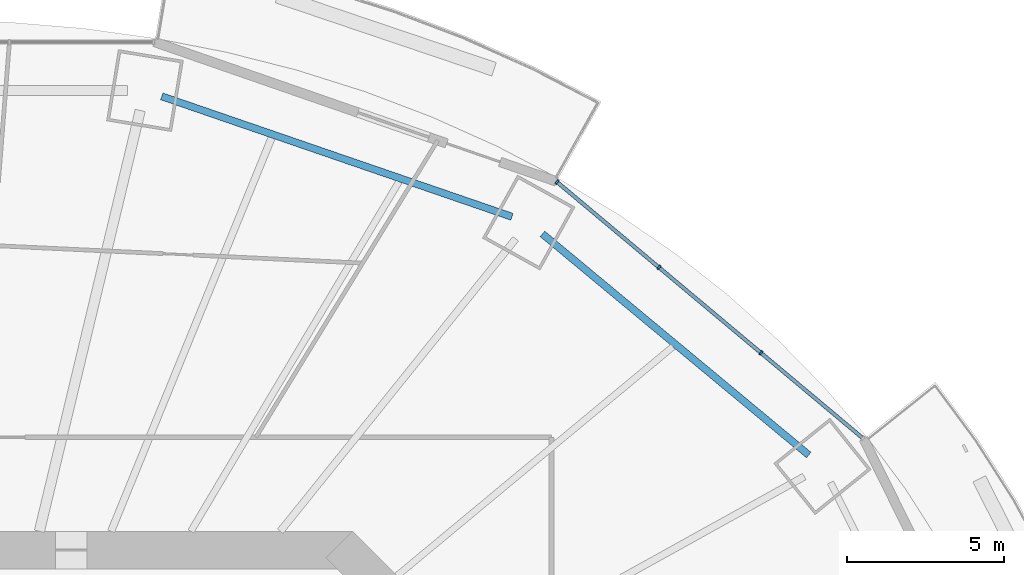
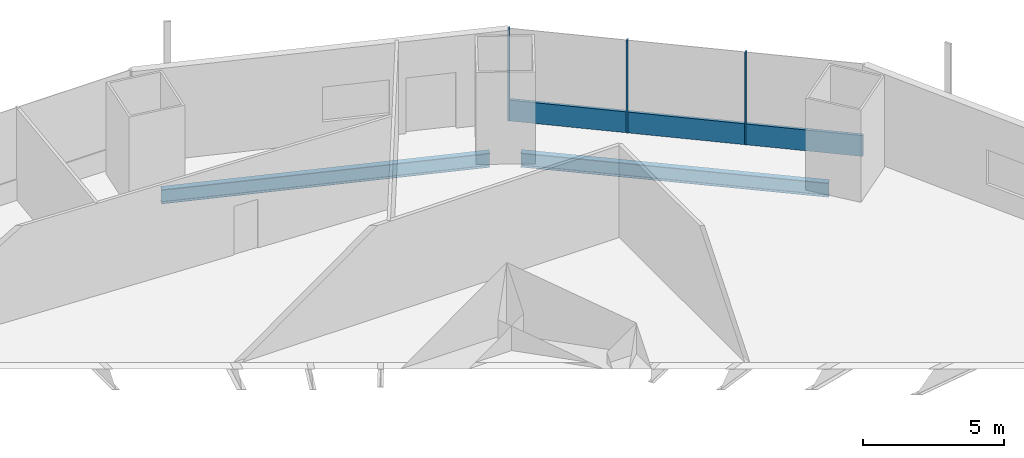
# One storey, part 10 of 22: 4 members, 2 beams, 1 element without a shape of its own.
"""IFC4 building model written with IfcOpenShell, lengths in metres."""

from ifc_helpers import new_model, si_unit, direction, frame, origin, origin_2d, place, context, subcontext, project, spatial, rectangle, i_section, extrude, material, material_profile, profile_set, type_object, element, aggregate, save


model = new_model("IFC4")

# Units and contexts
model_context = context("Model", 3, precision=1e-05, world=origin(), true_north=direction((0.0, 1.0)))
body_context = subcontext(model_context, "Body", "Model", "MODEL_VIEW")
ifc_project = project(units=[si_unit("LENGTHUNIT", "METRE"), si_unit("AREAUNIT", "SQUARE_METRE"), si_unit("VOLUMEUNIT", "CUBIC_METRE"), si_unit("PLANEANGLEUNIT", "RADIAN"), si_unit("MASSUNIT", "GRAM", prefix="KILO")], contexts=[model_context])

# Site, building, storey
site_placement = place(None, origin())
site = spatial("IfcSite", under=ifc_project, at=site_placement, CompositionType="ELEMENT")
building_placement = place(site_placement, origin())
building = spatial("IfcBuilding", under=site, at=building_placement, Name="Marenthal Gate Tower", CompositionType="ELEMENT")
storey_placement = place(building_placement, frame((0.0, 0.0, 74.5)))
storey = spatial("IfcBuildingStorey", under=building, at=storey_placement, Name="L14", CompositionType="ELEMENT", Elevation=74.5)

# Curtain wall, members
ifc_material_1 = material(Name="Aluminium and glass", Category="aluminium")
curtain_wall_type = type_object("IfcCurtainWallType", Name="Curtain wall typical low", PredefinedType="NOTDEFINED", material=ifc_material_1)
curtain_wall_placement = place(storey_placement, origin())
curtain_wall = element("IfcCurtainWall", 1, at=curtain_wall_placement, inside=storey, type_object=curtain_wall_type, Name="Curtain wall L14 bay 2", PredefinedType="NOTDEFINED")
ifc_material_2 = material(Name="Aluminium", Category="aluminium")
ifc_material_profile_1 = material_profile(ifc_material_2, rectangle(XDim=0.159912109375, YDim=0.06005859375, at=origin_2d()), Name="60x160 aluminium mullion")
ifc_profile_set_1 = profile_set([ifc_material_profile_1], Name="Aluminium")
member_type_1 = type_object("IfcMemberType", Name="Mullion 60x160 typical low", PredefinedType="MULLION", material=ifc_profile_set_1)
member_1_placement = place(storey_placement, frame((26.283935546875, 19.292724609375, 0.0), z_axis=(0.0, 0.0, 1.0), x_axis=(-0.642176178992, -0.76655707885, 0.0)))
member_1 = element("IfcMember", 2, at=member_1_placement, type_object=member_type_1, Name="Mullion L14 bay 2.2", PredefinedType="MULLION", context=body_context, shape_type="SweptSolid", body=[
    extrude(rectangle(XDim=0.159912109375, YDim=0.06005859375, at=origin_2d()), origin(), (0.0, 0.0, 1.0), 3.969970703125),
])
member_2_placement = place(storey_placement, frame((23.029541015625, 22.01904296875, 0.0), z_axis=(0.0, 0.0, 1.0), x_axis=(-0.642176178992, -0.76655707885, 0.0)))
member_2 = element("IfcMember", 3, at=member_2_placement, type_object=member_type_1, Name="Mullion L14 bay 2.3", PredefinedType="MULLION", context=body_context, shape_type="SweptSolid", body=[
    extrude(rectangle(XDim=0.159912109375, YDim=0.06005859375, at=origin_2d()), origin(), (0.0, 0.0, 1.0), 3.969970703125),
])
member_3_placement = place(storey_placement, frame((19.775146484375, 24.745361328125, 0.0), z_axis=(0.0, 0.0, 1.0), x_axis=(-0.642176178992, -0.76655707885, 0.0)))
member_3 = element("IfcMember", 4, at=member_3_placement, type_object=member_type_1, Name="Mullion L14 bay 2.4", PredefinedType="MULLION", context=body_context, shape_type="SweptSolid", body=[
    extrude(rectangle(XDim=0.159912109375, YDim=0.06005859375, at=origin_2d()), origin(), (0.0, 0.0, 1.0), 3.969970703125),
])
ifc_material_3 = material(Name="Aluminium", Category="aluminium")
ifc_material_profile_2 = material_profile(ifc_material_3, rectangle(XDim=0.1201171875, YDim=0.89990234375, at=origin_2d()), Name="120x900 aluminium transom")
ifc_profile_set_2 = profile_set([ifc_material_profile_2], Name="Aluminium")
member_type_2 = type_object("IfcMemberType", Name="Transom 120x900 typical low", PredefinedType="USERDEFINED", material=ifc_profile_set_2)
member_4_placement = place(storey_placement, frame((29.51513671875, 16.585693359375, 0.449951171875), z_axis=(-0.766556354324, 0.642177043849, 0.0), x_axis=(-0.642177043849, -0.766556354324, 0.0)))
member_4 = element("IfcMember", 5, at=member_4_placement, type_object=member_type_2, Name="Transom L14 bay 2", ObjectType="TRANSOM", PredefinedType="USERDEFINED", context=body_context, shape_type="SweptSolid", body=[
    extrude(rectangle(XDim=0.1201171875, YDim=0.89990234375, at=origin_2d()), origin(), (0.0, 0.0, 1.0), 12.67626953125),
])
aggregate(curtain_wall, [member_1, member_2, member_3, member_4])

# Beams
ifc_material_4 = material(Name="Steel S355", Category="steel")
ifc_material_profile_3 = material_profile(ifc_material_4, i_section(OverallWidth=0.22900390625, OverallDepth=0.612060546875, WebThickness=0.011962890625, FlangeThickness=0.01953125, FilletRadius=0.0126953125, at=origin_2d()), Name="W610X125")
ifc_profile_set_3 = profile_set([ifc_material_profile_3], Name="Steel S355")
beam_type = type_object("IfcBeamType", Name="W610X125 beam", PredefinedType="BEAM", material=ifc_profile_set_3)
beam_1_placement = place(storey_placement, frame((27.807861328125, 16.0341796875, -0.486083984375), z_axis=(-0.769405168871, 0.638761055571, 0.0), x_axis=(-0.638761055571, -0.769405168871, 0.0)))
element("IfcBeam", 6, at=beam_1_placement, inside=storey, type_object=beam_type, Name="BM-L14-42", PredefinedType="BEAM", context=body_context, shape_type="SweptSolid", body=[
    extrude(i_section(OverallWidth=0.22900390625, OverallDepth=0.612060546875, WebThickness=0.011962890625, FlangeThickness=0.01953125, FilletRadius=0.0126953125, at=origin_2d()), origin(), (0.0, 0.0, 1.0), 11.04248046875),
])
beam_2_placement = place(storey_placement, frame((18.3388671875, 23.635009765625, -0.486083984375), z_axis=(-0.94564769726, 0.325192916076, 0.0), x_axis=(-0.325192916076, -0.94564769726, 0.0)))
element("IfcBeam", 7, at=beam_2_placement, inside=storey, type_object=beam_type, Name="BM-L14-43", PredefinedType="BEAM", context=body_context, shape_type="SweptSolid", body=[
    extrude(i_section(OverallWidth=0.22900390625, OverallDepth=0.612060546875, WebThickness=0.011962890625, FlangeThickness=0.01953125, FilletRadius=0.0126953125, at=origin_2d()), origin(), (0.0, 0.0, 1.0), 11.819091796875),
])

save(model, "model.ifc")
